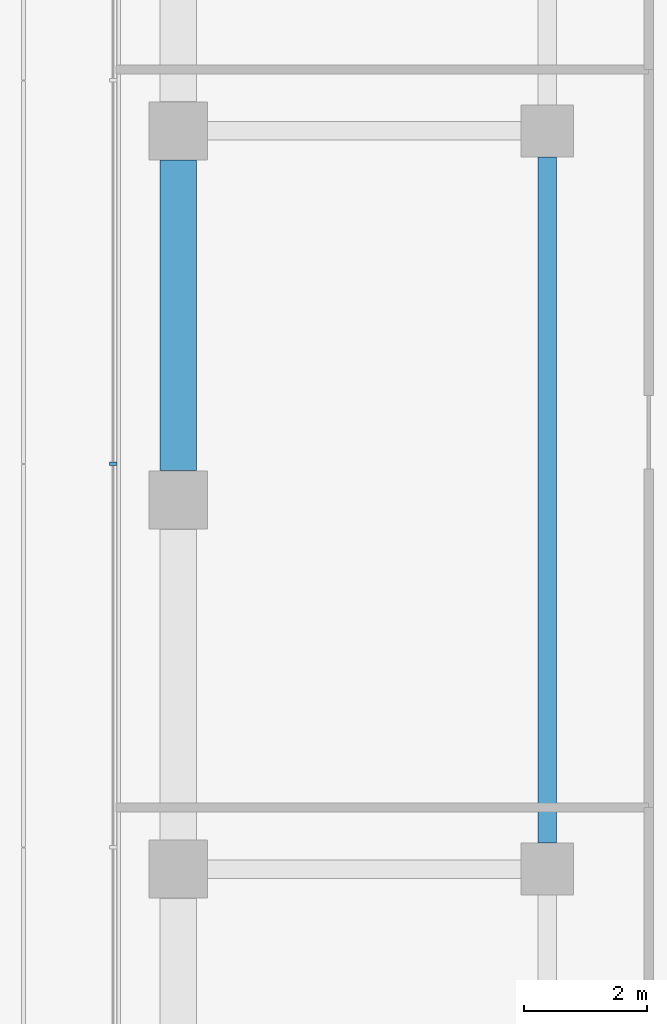
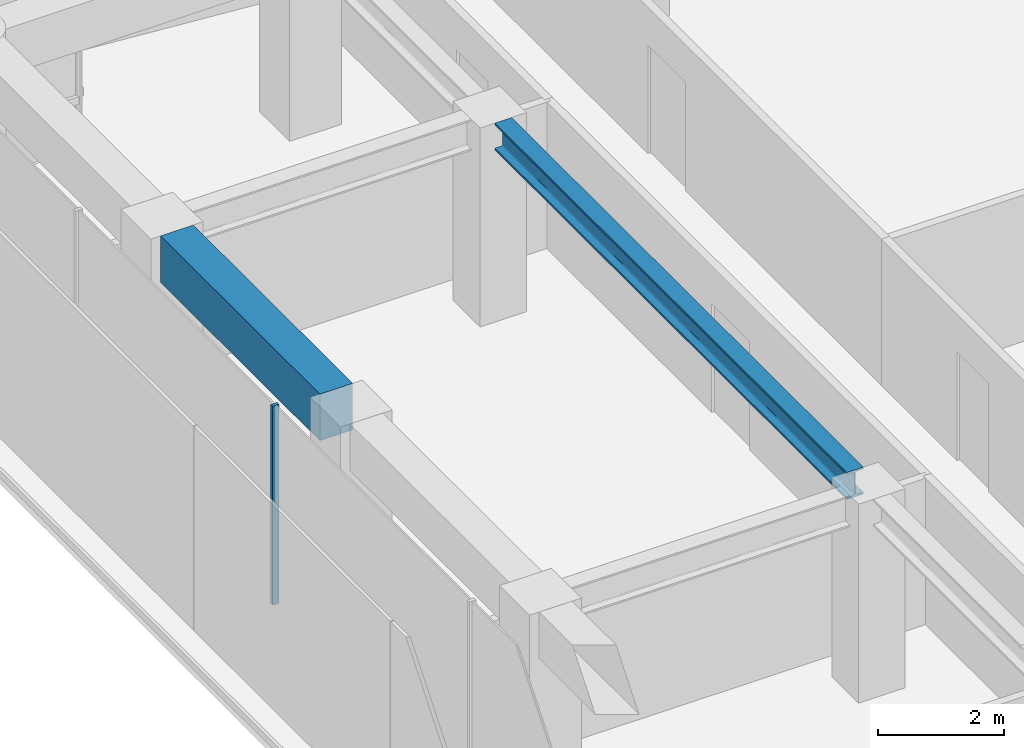
# One storey, part 16 of 31: 2 beams, 1 member, 1 element without a shape of its own.
"""IFC4 building model written with IfcOpenShell, lengths in metres."""

import ifcopenshell
import ifcopenshell.guid

model = None  # the IFC model being written
_history = None  # IfcOwnerHistory: only IFC2X3 demands one
_inside = {}  # id of a spatial element -> (the spatial element, [elements in it])
_under = {}  # id of a project, library or spatial element -> (it, [spatial elements below it])
_declared = {}  # id of a project -> (the project, [libraries it declares])
_typed = {}  # id of a type object -> (the type object, [elements of that type])
_made_of = {}  # id of a material, layer set ... -> (it, [elements and type objects made of it])


def new_model(schema):
    """Start an empty IFC model of exactly this schema.

    Asked for "IFC4X3", IfcOpenShell would pick the latest addendum, in which some entities
    have other attributes; the version numbers below select the first issue.
    IFC2X3 requires an IfcOwnerHistory on every rooted entity: one is made here for all.
    """
    global model, _history
    if schema == "IFC4X3":
        model = ifcopenshell.file(schema_version=(4, 3, 0, 0))
    else:
        model = ifcopenshell.file(schema=schema)
    _inside.clear()
    _under.clear()
    _declared.clear()
    _typed.clear()
    _made_of.clear()
    _history = None
    if model.schema == "IFC2X3":
        org = make("IfcOrganization", Name="unknown")
        user = make(
            "IfcPersonAndOrganization",
            ThePerson=make("IfcPerson", FamilyName="unknown"),
            TheOrganization=org,
        )
        app = make(
            "IfcApplication",
            ApplicationDeveloper=org,
            Version="unknown",
            ApplicationFullName="unknown",
            ApplicationIdentifier="unknown",
        )
        _history = make(
            "IfcOwnerHistory",
            OwningUser=user,
            OwningApplication=app,
            ChangeAction="ADDED",
            CreationDate=0,
        )
    return model


def make(cls, **values):
    """One entity of the class cls with the attributes given. An attribute that is None is left unset."""
    return model.create_entity(
        cls, **{name: value for name, value in values.items() if value is not None}
    )


def rooted(cls, **values):
    """An entity with a GlobalId (a new one), such as an element, a storey or a relation."""
    return make(cls, GlobalId=ifcopenshell.guid.new(), OwnerHistory=_history, **values)


def si_unit(unit_type, name, prefix=None):
    """IfcSIUnit, for example si_unit("LENGTHUNIT", "METRE", prefix="MILLI")."""
    return make("IfcSIUnit", UnitType=unit_type, Prefix=prefix, Name=name)


def assignment(units):
    """IfcUnitAssignment: the units of a project."""
    return None if units is None else make("IfcUnitAssignment", Units=units)


def point(xyz):
    """IfcCartesianPoint."""
    return None if xyz is None else make("IfcCartesianPoint", Coordinates=xyz)


def direction(xyz):
    """IfcDirection."""
    return None if xyz is None else make("IfcDirection", DirectionRatios=xyz)


def frame(location, z_axis=None, x_axis=None):
    """IfcAxis2Placement3D, a coordinate frame: its origin and axes. An axis left out is left unset."""
    return make(
        "IfcAxis2Placement3D",
        Location=point(location),
        Axis=direction(z_axis),
        RefDirection=direction(x_axis),
    )


def frame_2d(location, x_axis=None):
    """IfcAxis2Placement2D, a coordinate frame in the plane: its origin and x axis."""
    return make(
        "IfcAxis2Placement2D", Location=point(location), RefDirection=direction(x_axis)
    )


def origin():
    """The frame at (0, 0, 0) with its axes left unset."""
    return frame((0.0, 0.0, 0.0))


def origin_2d():
    """The frame at (0, 0) in the plane with its x axis left unset."""
    return frame_2d((0.0, 0.0))


def place(relative_to, where):
    """IfcLocalPlacement: puts the frame where relative to a parent placement (None: the world)."""
    return make(
        "IfcLocalPlacement", PlacementRelTo=relative_to, RelativePlacement=where
    )


def context(
    kind, dimensions, precision=None, world=None, true_north=None, identifier=None
):
    """IfcGeometricRepresentationContext, for example the 3D "Model" context."""
    return make(
        "IfcGeometricRepresentationContext",
        ContextIdentifier=identifier,
        ContextType=kind,
        CoordinateSpaceDimension=dimensions,
        Precision=precision,
        WorldCoordinateSystem=world,
        TrueNorth=true_north,
    )


def subcontext(parent, identifier, kind, view, scale=None):
    """IfcGeometricRepresentationSubContext, for example "Body" below "Model"."""
    return make(
        "IfcGeometricRepresentationSubContext",
        ContextIdentifier=identifier,
        ContextType=kind,
        ParentContext=parent,
        TargetScale=scale,
        TargetView=view,
    )


def project(units=None, contexts=None):
    """IfcProject with its units and contexts."""
    return rooted(
        "IfcProject",
        Name="project",
        RepresentationContexts=contexts,
        UnitsInContext=assignment(units),
    )


def spatial(cls, under=None, at=None, **own):
    """A site, building, storey or space (cls), placed at a placement, below another one or the project."""
    s = rooted(cls, ObjectPlacement=at, **own)
    if under is not None:
        _under.setdefault(under.id(), (under, []))[1].append(s)
    return s


def profile(cls, at=None, kind="AREA", **sizes):
    """A parametric profile (cls). Its sizes go by their IFC names, for example OverallWidth=200.0."""
    return make(cls, ProfileType=kind, Position=at, **sizes)


def rectangle(**sizes):
    """IfcRectangleProfileDef."""
    return profile("IfcRectangleProfileDef", **sizes)


def i_section(**sizes):
    """IfcIShapeProfileDef."""
    return profile("IfcIShapeProfileDef", **sizes)


def extrude(swept, where, along, depth):
    """IfcExtrudedAreaSolid: the profile swept, set in the frame where, extruded along a direction by depth."""
    return make(
        "IfcExtrudedAreaSolid",
        SweptArea=swept,
        Position=where,
        ExtrudedDirection=direction(along),
        Depth=depth,
    )


def shape(context_of_items, identifier, shape_type, items):
    """IfcShapeRepresentation: the items that make up one representation, for example the "Body"."""
    return make(
        "IfcShapeRepresentation",
        ContextOfItems=context_of_items,
        RepresentationIdentifier=identifier,
        RepresentationType=shape_type,
        Items=items,
    )


def material(Name=None, Category=None):
    """IfcMaterial."""
    return make("IfcMaterial", Name=Name, Category=Category)


def layer(
    of_material, thickness, ventilated=None, Name=None, Category=None, Priority=None
):
    """IfcMaterialLayer: one layer of a wall or slab, of a material (None: an air gap)."""
    return make(
        "IfcMaterialLayer",
        Material=of_material,
        LayerThickness=thickness,
        IsVentilated=ventilated,
        Name=Name,
        Category=Category,
        Priority=Priority,
    )


def layer_set(layers, Name=None):
    """IfcMaterialLayerSet."""
    return make("IfcMaterialLayerSet", MaterialLayers=layers, LayerSetName=Name)


def material_profile(
    of_material, cross_section, Name=None, Category=None, Priority=None
):
    """IfcMaterialProfile: a cross section and its material."""
    return make(
        "IfcMaterialProfile",
        Name=Name,
        Material=of_material,
        Profile=cross_section,
        Priority=Priority,
        Category=Category,
    )


def profile_set(profiles, Name=None, composite=None):
    """IfcMaterialProfileSet."""
    return make(
        "IfcMaterialProfileSet",
        Name=Name,
        MaterialProfiles=profiles,
        CompositeProfile=composite,
    )


def made_of(thing, what):
    """Note that an element or type object is made of a material, layer set ...; save() writes the relation."""
    if what is not None:
        _made_of.setdefault(what.id(), (what, []))[1].append(thing)
    return thing


def type_object(cls, material=None, **own):
    """A type object (cls), such as IfcWallType, which elements share."""
    return made_of(rooted(cls, **own), material)


def element(
    cls,
    number,
    at=None,
    inside=None,
    cuts=None,
    type_object=None,
    material=None,
    context=None,
    identifier="Body",
    shape_type=None,
    held_by="IfcProductDefinitionShape",
    body=None,
    shapes=None,
    **own,
):
    """One element of the class cls, such as IfcWall. Its Tag is "e" and its number.

    at: its placement. inside: the storey or other place that contains it. cuts: it is an
    opening in that element (IfcRelVoidsElement). A single representation is given by context,
    identifier, shape_type and body (its items); several are given by shapes. held_by: the class
    of the entity that holds the representations. save() writes the other relations.
    """
    e = rooted(cls, Tag="e%d" % number, ObjectPlacement=at, **own)
    if body is not None:
        shapes = [shape(context, identifier, shape_type, body)]
    if shapes is not None:
        e.Representation = make(held_by, Representations=shapes)
    if inside is not None:
        _inside.setdefault(inside.id(), (inside, []))[1].append(e)
    if cuts is not None:
        rooted(
            "IfcRelVoidsElement", RelatingBuildingElement=cuts, RelatedOpeningElement=e
        )
    if type_object is not None:
        _typed.setdefault(type_object.id(), (type_object, []))[1].append(e)
    return made_of(e, material)


def aggregate(whole, parts):
    """IfcRelAggregates: a whole, such as a stair, and the parts it consists of."""
    return rooted("IfcRelAggregates", RelatingObject=whole, RelatedObjects=parts)


def save(model, path):
    """Write the relations noted so far, then the file.

    IfcRelAggregates (storeys below a building ...), IfcRelContainedInSpatialStructure (elements
    in a storey), IfcRelDefinesByType, IfcRelAssociatesMaterial and IfcRelDeclares: one each for
    every whole, place, type object, material and project.
    """
    for whole, parts in _under.values():
        aggregate(whole, parts)
    for where, things in _inside.values():
        rooted(
            "IfcRelContainedInSpatialStructure",
            RelatedElements=things,
            RelatingStructure=where,
        )
    for kind, things in _typed.values():
        rooted("IfcRelDefinesByType", RelatedObjects=things, RelatingType=kind)
    for what, things in _made_of.values():
        rooted("IfcRelAssociatesMaterial", RelatedObjects=things, RelatingMaterial=what)
    for by, libraries in _declared.values():
        rooted("IfcRelDeclares", RelatingContext=by, RelatedDefinitions=libraries)
    model.write(path)


model = new_model("IFC4")

# Units and contexts
model_context = context("Model", 3, precision=1e-05, world=origin(), true_north=direction((0.0, 1.0)))
body_context = subcontext(model_context, "Body", "Model", "MODEL_VIEW")
ifc_project = project(units=[si_unit("LENGTHUNIT", "METRE"), si_unit("AREAUNIT", "SQUARE_METRE"), si_unit("VOLUMEUNIT", "CUBIC_METRE"), si_unit("PLANEANGLEUNIT", "RADIAN"), si_unit("MASSUNIT", "GRAM", prefix="KILO")], contexts=[model_context])

# Site, building, storey
site_placement = place(None, origin())
site = spatial("IfcSite", under=ifc_project, at=site_placement, CompositionType="ELEMENT")
building_placement = place(site_placement, origin())
building = spatial("IfcBuilding", under=site, at=building_placement, Name="Welwitschia Terrace Campus", CompositionType="ELEMENT")
storey_placement = place(building_placement, frame((0.0, 0.0, 29.0)))
storey = spatial("IfcBuildingStorey", under=building, at=storey_placement, Name="L06", CompositionType="ELEMENT", Elevation=29.0)

# Beam
ifc_material_1 = material(Name="Steel S355", Category="steel")
ifc_material_profile_1 = material_profile(ifc_material_1, i_section(OverallWidth=0.305908203125, OverallDepth=0.52392578125, WebThickness=0.02099609375, FlangeThickness=0.0400390625, FilletRadius=0.027099609375, at=origin_2d()))
ifc_profile_set_1 = profile_set([ifc_material_profile_1], Name="Steel S355")
beam_type_1 = type_object("IfcBeamType", Name="Interior girder HE 500 M", PredefinedType="BEAM", material=ifc_profile_set_1)
beam_1_placement = place(storey_placement, frame((6.0, 44.425537109375, 3.587890625), z_axis=(0.0, 1.0, 0.0), x_axis=(-1.0, 0.0, 0.0)))
element("IfcBeam", 1, at=beam_1_placement, inside=storey, type_object=beam_type_1, Name="Girder GB2", PredefinedType="BEAM", context=body_context, shape_type="SweptSolid", body=[
    extrude(i_section(OverallWidth=0.305908203125, OverallDepth=0.52392578125, WebThickness=0.02099609375, FlangeThickness=0.0400390625, FilletRadius=0.027099609375, at=origin_2d()), origin(), (0.0, 0.0, 1.0), 11.14892578125),
])

# Curtain wall, member
ifc_material_2 = material(Name="Bronze anodised aluminium", Category="aluminium")
ifc_layer = layer(ifc_material_2, 0.1201171875)
ifc_layer_set = layer_set([ifc_layer], Name="Bronze anodised aluminium")
curtain_wall_type = type_object("IfcCurtainWallType", Name="Curtain wall CW2 tower 6000", PredefinedType="NOTDEFINED", material=ifc_layer_set)
curtain_wall_placement = place(storey_placement, origin())
curtain_wall = element("IfcCurtainWall", 2, at=curtain_wall_placement, inside=storey, type_object=curtain_wall_type, Name="CW L06.16.0", PredefinedType="NOTDEFINED")
ifc_material_3 = material(Name="Bronze anodised aluminium", Category="aluminium")
ifc_material_profile_2 = material_profile(ifc_material_3, rectangle(XDim=0.1201171875, YDim=0.06005859375, at=origin_2d()))
ifc_profile_set_2 = profile_set([ifc_material_profile_2], Name="Bronze anodised aluminium")
member_type = type_object("IfcMemberType", Name="Mullion 60x120", PredefinedType="MULLION", material=ifc_profile_set_2)
member_placement = place(storey_placement, frame((-1.05810546875, 50.587158203125, 0.0), z_axis=(0.0, 0.0, 1.0), x_axis=(1.0, 0.0, 0.0)))
member = element("IfcMember", 3, at=member_placement, type_object=member_type, Name="Mullion L06.16.0.2", PredefinedType="MULLION", context=body_context, shape_type="SweptSolid", body=[
    extrude(rectangle(XDim=0.1201171875, YDim=0.06005859375, at=origin_2d()), origin(), (0.0, 0.0, 1.0), 3.85009765625),
])
aggregate(curtain_wall, [member])

# Beam
ifc_material_4 = material(Name="Concrete C60/75", Category="concrete")
ifc_material_profile_3 = material_profile(ifc_material_4, rectangle(XDim=0.60009765625, YDim=0.89990234375, at=origin_2d()))
ifc_profile_set_3 = profile_set([ifc_material_profile_3], Name="Concrete C60/75")
beam_type_2 = type_object("IfcBeamType", Name="Ring spandrel 600x900", PredefinedType="SPANDREL", material=ifc_profile_set_3)
beam_2_placement = place(storey_placement, frame((0.0, 55.5244140625, 3.39990234375), z_axis=(0.0, -1.0, 0.0), x_axis=(1.0, 0.0, 0.0)))
element("IfcBeam", 4, at=beam_2_placement, inside=storey, type_object=beam_type_2, Name="Spandrel SP2", PredefinedType="SPANDREL", context=body_context, shape_type="SweptSolid", body=[
    extrude(rectangle(XDim=0.60009765625, YDim=0.89990234375, at=origin_2d()), origin(), (0.0, 0.0, 1.0), 5.048828125),
])

save(model, "model.ifc")
